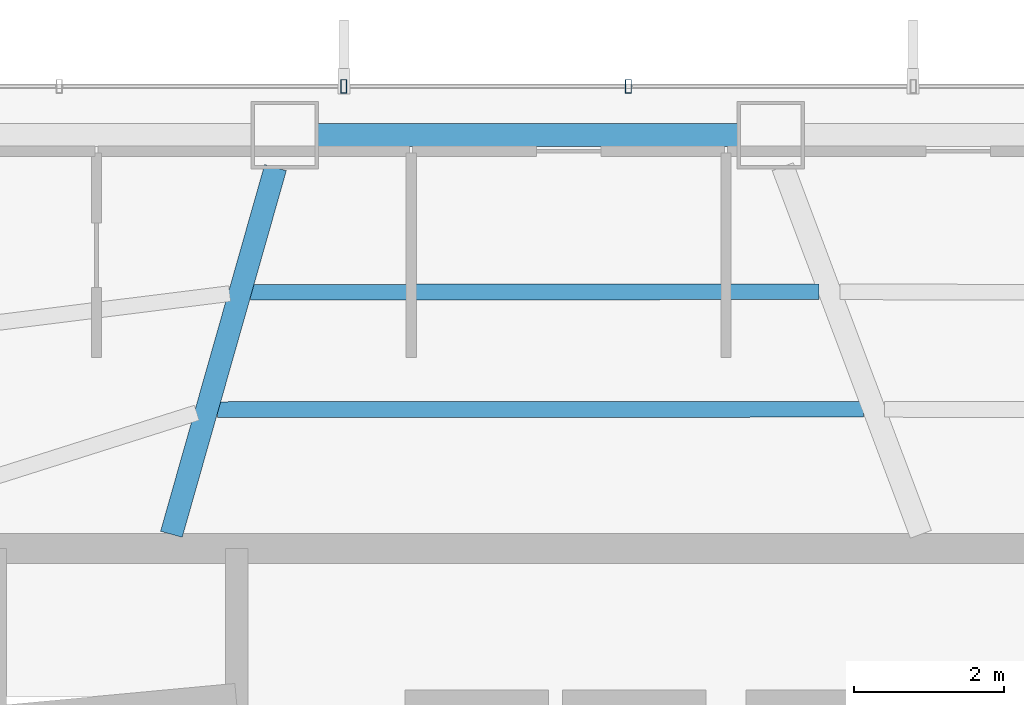
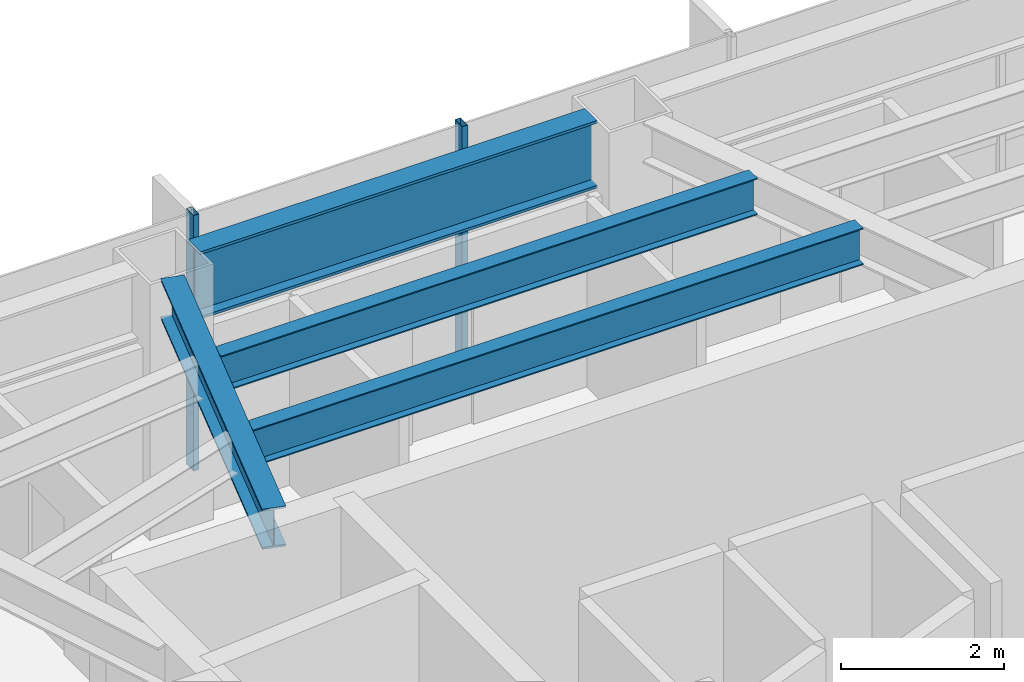
# One storey, part 12 of 25: 4 beams, 2 members, 1 element without a shape of its own.
"""IFC4 building model written with IfcOpenShell, lengths in metres."""

from ifc_helpers import new_model, si_unit, direction, frame, origin, origin_2d, place, context, subcontext, project, spatial, hollow_rectangle, i_section, extrude, material, layer, layer_set, material_profile, profile_set, type_object, element, aggregate, save


model = new_model("IFC4")

# Units and contexts
model_context = context("Model", 3, precision=1e-05, world=origin(), true_north=direction((0.0, 1.0)))
body_context = subcontext(model_context, "Body", "Model", "MODEL_VIEW")
ifc_project = project(units=[si_unit("LENGTHUNIT", "METRE"), si_unit("AREAUNIT", "SQUARE_METRE"), si_unit("VOLUMEUNIT", "CUBIC_METRE"), si_unit("PLANEANGLEUNIT", "RADIAN"), si_unit("MASSUNIT", "GRAM", prefix="KILO")], contexts=[model_context])

# Site, building, storey
site_placement = place(None, origin())
site = spatial("IfcSite", under=ifc_project, at=site_placement, CompositionType="ELEMENT")
building_placement = place(site_placement, origin())
building = spatial("IfcBuilding", under=site, at=building_placement, Name="Zarrinselat Tower", CompositionType="ELEMENT")
storey_placement = place(building_placement, frame((0.0, 0.0, 88.739990234375)))
storey = spatial("IfcBuildingStorey", under=building, at=storey_placement, Name="L21", CompositionType="ELEMENT", Elevation=88.739990234375)

# Beams
ifc_material_1 = material(Name="Steel S355J2", Category="steel")
ifc_material_profile_1 = material_profile(ifc_material_1, i_section(OverallWidth=0.300048828125, OverallDepth=0.60009765625, WebThickness=0.015380859375, FlangeThickness=0.030029296875, at=origin_2d()), Name="HEB 600")
ifc_profile_set_1 = profile_set([ifc_material_profile_1], Name="Steel S355J2")
beam_type_1 = type_object("IfcBeamType", Name="BM-HEB600", PredefinedType="BEAM", material=ifc_profile_set_1)
beam_1_placement = place(storey_placement, frame((31.0, 43.639892578125, 3.52001953125), z_axis=(0.273160985229, 0.961968334275, 0.0), x_axis=(-0.961968334275, 0.273160985229, 0.0)))
element("IfcBeam", 1, at=beam_1_placement, inside=storey, type_object=beam_type_1, Name="L21 Radial Primary Girder RG04", PredefinedType="BEAM", context=body_context, shape_type="SweptSolid", body=[
    extrude(i_section(OverallWidth=0.300048828125, OverallDepth=0.60009765625, WebThickness=0.015380859375, FlangeThickness=0.030029296875, at=origin_2d()), origin(), (0.0, 0.0, 1.0), 5.08544921875),
])
ifc_material_2 = material(Name="Steel S460M", Category="steel")
ifc_material_profile_2 = material_profile(ifc_material_2, i_section(OverallWidth=0.302001953125, OverallDepth=1.008056640625, WebThickness=0.02099609375, FlangeThickness=0.0400390625, at=origin_2d()), Name="HEM 1000")
ifc_profile_set_2 = profile_set([ifc_material_profile_2], Name="Steel S460M")
beam_type_2 = type_object("IfcBeamType", Name="BM-HEM1000", PredefinedType="BEAM", material=ifc_profile_set_2)
beam_2_placement = place(storey_placement, frame((32.95068359375, 48.966796875, 3.31591796875), z_axis=(1.0, 0.0, 0.0), x_axis=(0.0, 1.0, 0.0)))
element("IfcBeam", 2, at=beam_2_placement, inside=storey, type_object=beam_type_2, Name="L21 Perimeter Spandrel Girder SP03", PredefinedType="BEAM", context=body_context, shape_type="SweptSolid", body=[
    extrude(i_section(OverallWidth=0.302001953125, OverallDepth=1.008056640625, WebThickness=0.02099609375, FlangeThickness=0.0400390625, at=origin_2d()), origin(), (0.0, 0.0, 1.0), 5.609375),
])
ifc_material_3 = material(Name="Steel S355J2", Category="steel")
ifc_material_profile_3 = material_profile(ifc_material_3, i_section(OverallWidth=0.2099609375, OverallDepth=0.550048828125, WebThickness=0.010986328125, FlangeThickness=0.01708984375, at=origin_2d()), Name="IPE 550")
ifc_profile_set_3 = profile_set([ifc_material_profile_3], Name="Steel S355J2")
beam_type_3 = type_object("IfcBeamType", Name="BM-IPE550", PredefinedType="JOIST", material=ifc_profile_set_3)
beam_3_placement = place(storey_placement, frame((32.056884765625, 46.868896484375, 3.544921875), z_axis=(0.999999533996, 0.000965405825, 0.0), x_axis=(-0.000965405825, 0.999999533996, 0.0)))
element("IfcBeam", 3, at=beam_3_placement, inside=storey, type_object=beam_type_3, Name="L21 Composite Floor Joist 8-1", PredefinedType="JOIST", context=body_context, shape_type="SweptSolid", body=[
    extrude(i_section(OverallWidth=0.2099609375, OverallDepth=0.550048828125, WebThickness=0.010986328125, FlangeThickness=0.01708984375, at=origin_2d()), origin(), (0.0, 0.0, 1.0), 7.586669921875),
])
beam_4_placement = place(storey_placement, frame((31.6123046875, 45.30322265625, 3.544921875), z_axis=(0.999999897349, 0.000453103714, 0.0), x_axis=(-0.000453103714, 0.999999897349, 0.0)))
element("IfcBeam", 4, at=beam_4_placement, inside=storey, type_object=beam_type_3, Name="L21 Composite Floor Joist 8-2", PredefinedType="JOIST", context=body_context, shape_type="SweptSolid", body=[
    extrude(i_section(OverallWidth=0.2099609375, OverallDepth=0.550048828125, WebThickness=0.010986328125, FlangeThickness=0.01708984375, at=origin_2d()), origin(), (0.0, 0.0, 1.0), 8.62109375),
])

# Curtain wall, members
ifc_material_4 = material(Name="Extruded Aluminium Alloy EN AW-6063 T6", Category="aluminium")
ifc_layer = layer(ifc_material_4, 0.18505859375)
ifc_layer_set = layer_set([ifc_layer], Name="Extruded Aluminium Alloy EN AW-6063 T6")
curtain_wall_type = type_object("IfcCurtainWallType", Name="CWS-OFF", PredefinedType="NOTDEFINED", material=ifc_layer_set)
curtain_wall_placement = place(storey_placement, origin())
curtain_wall = element("IfcCurtainWall", 5, at=curtain_wall_placement, inside=storey, type_object=curtain_wall_type, Name="L21 Unitised Curtain Wall CW-L21-E01", PredefinedType="NOTDEFINED")
ifc_material_5 = material(Name="Extruded Aluminium Alloy EN AW-6063 T6", Category="aluminium")
ifc_material_profile_4 = material_profile(ifc_material_5, hollow_rectangle(XDim=0.080078125, YDim=0.179931640625, WallThickness=0.0048828125, at=origin_2d()), Name="RHS 180x80x5")
ifc_profile_set_4 = profile_set([ifc_material_profile_4], Name="Extruded Aluminium Alloy EN AW-6063 T6")
member_type = type_object("IfcMemberType", Name="MEM-CW-MUL", PredefinedType="MULLION", material=ifc_profile_set_4)
member_1_placement = place(storey_placement, frame((37.098876953125, 49.61669921875, 0.0), z_axis=(0.0, 0.0, 1.0), x_axis=(-1.0, 0.0, 0.0)))
member_1 = element("IfcMember", 6, at=member_1_placement, type_object=member_type, Name="CW-L21-E01 Mullion 4", PredefinedType="MULLION", context=body_context, shape_type="SweptSolid", body=[
    extrude(hollow_rectangle(XDim=0.080078125, YDim=0.179931640625, WallThickness=0.0048828125, at=origin_2d()), origin(), (0.0, 0.0, 1.0), 3.820068359375),
])
member_2_placement = place(storey_placement, frame((33.30078125, 49.61669921875, 0.0), z_axis=(0.0, 0.0, 1.0), x_axis=(-1.0, 0.0, 0.0)))
member_2 = element("IfcMember", 7, at=member_2_placement, type_object=member_type, Name="CW-L21-E01 Mullion 5", PredefinedType="MULLION", context=body_context, shape_type="SweptSolid", body=[
    extrude(hollow_rectangle(XDim=0.080078125, YDim=0.179931640625, WallThickness=0.0048828125, at=origin_2d()), origin(), (0.0, 0.0, 1.0), 3.820068359375),
])
aggregate(curtain_wall, [member_1, member_2])

save(model, "model.ifc")
